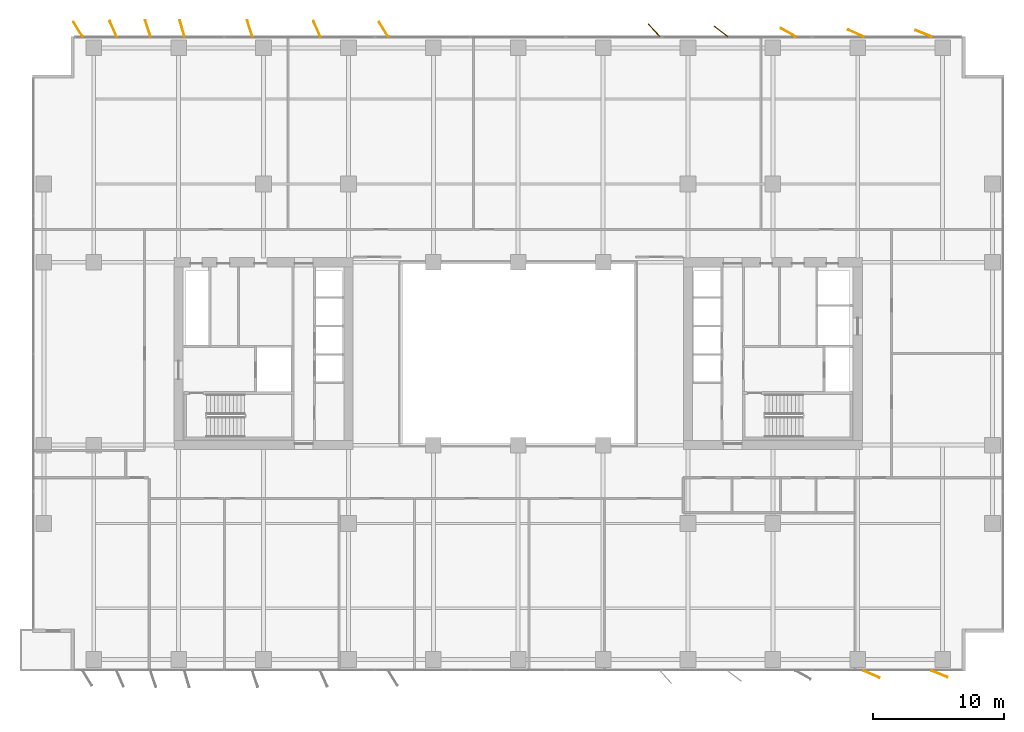
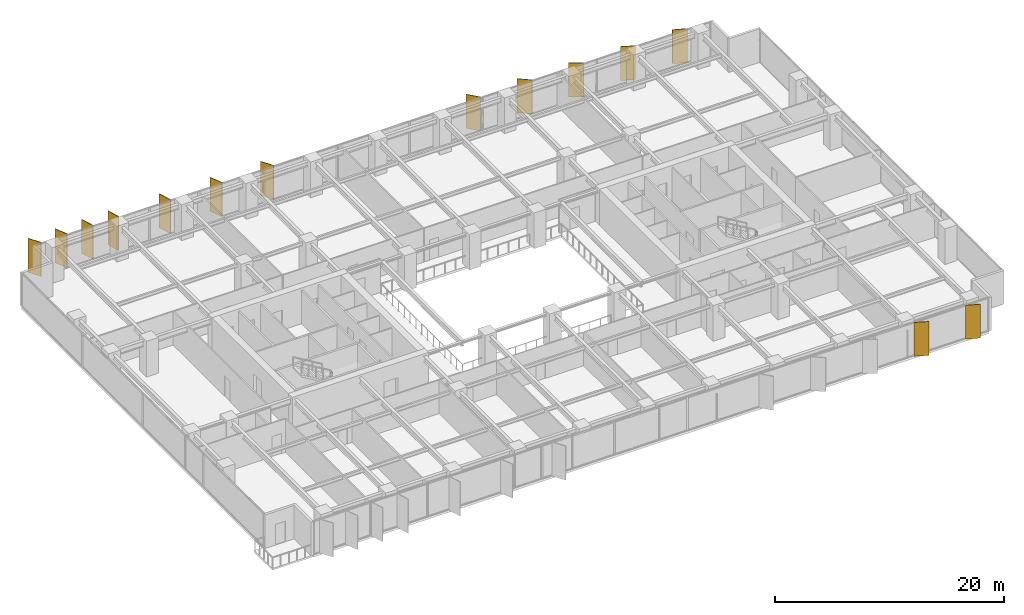
# One storey, part 20 of 20: 14 shading devices.
"""IFC4 building model written with IfcOpenShell, lengths in metres."""

from ifc_helpers import new_model, si_unit, direction, frame, origin, origin_2d, place, context, subcontext, project, spatial, rectangle, extrude, material, layer, layer_set, type_object, element, save


model = new_model("IFC4")

# Units and contexts
model_context = context("Model", 3, precision=1e-05, world=origin(), true_north=direction((0.0, 1.0)))
body_context = subcontext(model_context, "Body", "Model", "MODEL_VIEW")
ifc_project = project(units=[si_unit("LENGTHUNIT", "METRE"), si_unit("AREAUNIT", "SQUARE_METRE"), si_unit("VOLUMEUNIT", "CUBIC_METRE"), si_unit("PLANEANGLEUNIT", "RADIAN"), si_unit("MASSUNIT", "GRAM", prefix="KILO")], contexts=[model_context])

# Site, building, storey
site_placement = place(None, origin())
site = spatial("IfcSite", under=ifc_project, at=site_placement, CompositionType="ELEMENT")
building_placement = place(site_placement, origin())
building = spatial("IfcBuilding", under=site, at=building_placement, Name="Putna Gate Headquarters", CompositionType="ELEMENT")
storey_placement = place(building_placement, frame((0.0, 0.0, 101.199951171875)))
storey = spatial("IfcBuildingStorey", under=building, at=storey_placement, Name="L24", CompositionType="ELEMENT", Elevation=101.199951171875)

# Shading devices
ifc_material = material(Name="Anodised architectural bronze aluminium fin", Category="aluminium")
ifc_layer = layer(ifc_material, 0.06494140625)
ifc_layer_set = layer_set([ifc_layer], Name="Anodised architectural bronze aluminium fin")
shading_device_type = type_object("IfcShadingDeviceType", Name="SHADE-BRONZE-FIN-1320", PredefinedType="USERDEFINED", material=ifc_layer_set)
for number, where, z_axis, x_axis, name in (
    (1, (5.2998046875, 50.83447265625, -0.02001953125), (0.0, 0.0, 1.0), (-0.530659123936, 0.847585331506, 0.0), "L24 Bronze Vertical Shading Fin N1"),
    (2, (7.985595703125, 50.879638671875, -0.02001953125), (0.0, 0.0, 1.0), (-0.400668879095, 0.916222925562, 0.0), "L24 Bronze Vertical Shading Fin N2"),
    (3, (10.646240234375, 50.90283203125, -0.02001953125), (0.0, 0.0, 1.0), (-0.308684994204, 0.951164325631, 0.0), "L24 Bronze Vertical Shading Fin N3"),
    (4, (13.26806640625, 50.909423828125, -0.02001953125), (0.0, 0.0, 1.0), (-0.275637355817, 0.961261695938, 0.0), "L24 Bronze Vertical Shading Fin N4"),
    (5, (18.4462890625, 50.90283203125, -0.02001953125), (0.0, 0.0, 1.0), (-0.308684994204, 0.951164325631, 0.0), "L24 Bronze Vertical Shading Fin N5"),
    (6, (23.585693359375, 50.879638671875, -0.02001953125), (0.0, 0.0, 1.0), (-0.400668879095, 0.916222925562, 0.0), "L24 Bronze Vertical Shading Fin N6"),
    (7, (28.69970703125, 50.83447265625, -0.02001953125), (0.0, 0.0, 1.0), (-0.530659123936, 0.847585331506, 0.0), "L24 Bronze Vertical Shading Fin N7"),
    (8, (49.408447265625, 50.765380859375, -0.02001953125), (0.0, 0.0, 1.0), (-0.669130606359, 0.743144825477, 0.0), "L24 Bronze Vertical Shading Fin N8"),
    (9, (54.5302734375, 50.681884765625, -0.02001953125), (0.0, 0.0, 1.0), (-0.787473187632, 0.616348909921, 0.0), "L24 Bronze Vertical Shading Fin N9"),
    (10, (59.67626953125, 50.601318359375, -0.02001953125), (0.0, 0.0, 1.0), (-0.869322458298, 0.494245347472, 0.0), "L24 Bronze Vertical Shading Fin N10"),
    (11, (66.052978515625, 1.456787109375, -0.02001953125), (0.0, 0.0, 1.0), (0.913687379856, -0.40641773078, 0.0), "L24 Bronze Vertical Shading Fin S11"),
    (12, (64.846923828125, 50.543212890625, -0.02001953125), (0.0, 0.0, 1.0), (-0.913687379856, 0.40641773078, 0.0), "L24 Bronze Vertical Shading Fin N11"),
    (13, (71.261962890625, 1.477783203125, -0.02001953125), (0.0, 0.0, 1.0), (0.927183854567, -0.374606593416, 0.0), "L24 Bronze Vertical Shading Fin S12"),
    (14, (70.0380859375, 50.522216796875, -0.02001953125), (0.0, 0.0, 1.0), (-0.927183854567, 0.374606593416, 0.0), "L24 Bronze Vertical Shading Fin N12"),
):
    element("IfcShadingDevice", number, at=place(storey_placement, frame(where, z_axis=z_axis, x_axis=x_axis)), inside=storey, type_object=shading_device_type, Name=name, ObjectType="FIN", PredefinedType="USERDEFINED", context=body_context, shape_type="SweptSolid", body=[
        extrude(rectangle(XDim=1.320068359375, YDim=0.06494140625, at=origin_2d()), origin(), (0.0, 0.0, 1.0), 3.60498046875),
    ])

save(model, "model.ifc")
